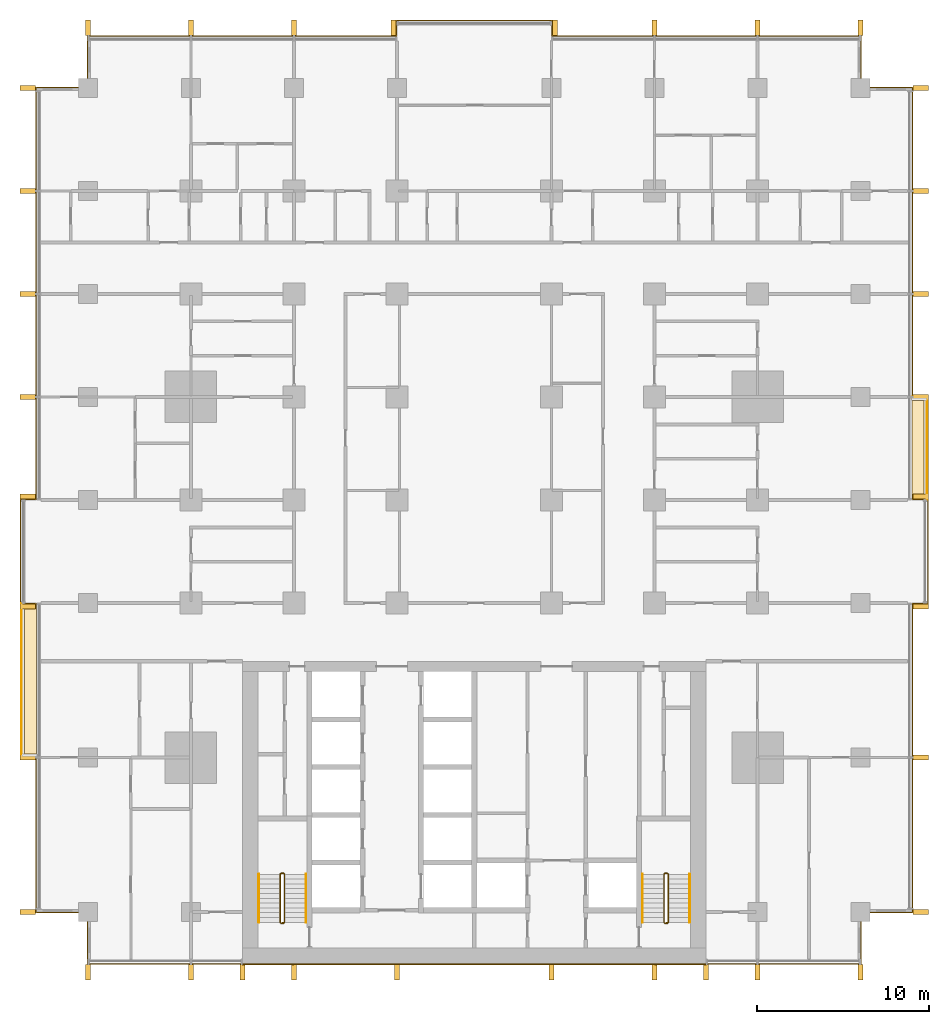
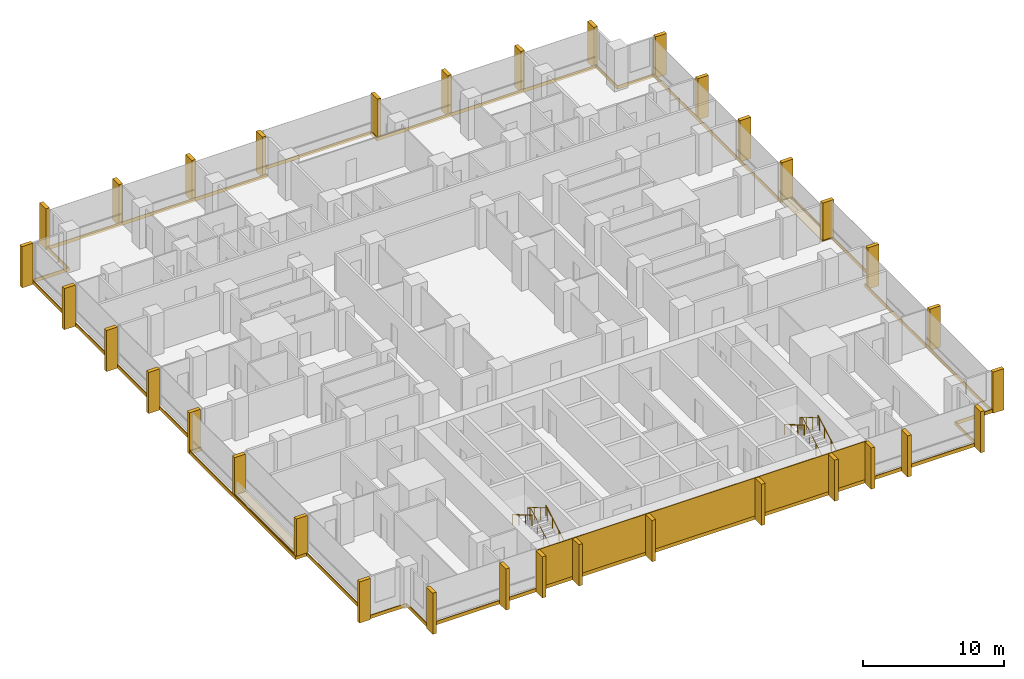
# One storey, part 18 of 18: 34 shading devices, 10 coverings, 6 railings.
"""IFC4 building model written with IfcOpenShell, lengths in metres."""

from ifc_helpers import new_model, si_unit, direction, frame, origin, origin_2d, place, context, subcontext, project, spatial, polyline, rectangle, circle, outline, extrude, material, layer, layer_set, type_object, element, save


model = new_model("IFC4")

# Units and contexts
model_context = context("Model", 3, precision=1e-05, world=origin(), true_north=direction((0.0, 1.0)))
body_context = subcontext(model_context, "Body", "Model", "MODEL_VIEW")
ifc_project = project(units=[si_unit("LENGTHUNIT", "METRE"), si_unit("AREAUNIT", "SQUARE_METRE"), si_unit("VOLUMEUNIT", "CUBIC_METRE"), si_unit("PLANEANGLEUNIT", "RADIAN"), si_unit("MASSUNIT", "GRAM", prefix="KILO")], contexts=[model_context])

# Site, building, storey
site_placement = place(None, origin())
site = spatial("IfcSite", under=ifc_project, at=site_placement, CompositionType="ELEMENT")
building_placement = place(site_placement, origin())
building = spatial("IfcBuilding", under=site, at=building_placement, Name="Finial Court Residences", CompositionType="ELEMENT")
storey_placement = place(building_placement, frame((0.0, 0.0, 43.300048828125)))
storey = spatial("IfcBuildingStorey", under=building, at=storey_placement, Name="L09", CompositionType="ELEMENT", Elevation=43.300048828125)

# Coverings
ifc_material_1 = material(Name="Natural limestone", Category="masonry")
ifc_layer_1 = layer(ifc_material_1, 0.06005859375)
ifc_layer_set_1 = layer_set([ifc_layer_1], Name="Limestone cladding to the blind core face 60")
covering_type_1 = type_object("IfcCoveringType", Name="Limestone cladding to the blind core face 60", PredefinedType="CLADDING", material=ifc_layer_set_1)
covering_1_placement = place(storey_placement, origin())
element("IfcCovering", 1, at=covering_1_placement, inside=storey, type_object=covering_type_1, Name="E-L09-CLAD1", PredefinedType="CLADDING", context=body_context, shape_type="SweptSolid", body=[
    extrude(outline(polyline([(-10.5, -25.56005859375), (-10.5, -25.5), (-13.5, -25.5), (-13.5, -25.56005859375), (-10.5, -25.56005859375)])), origin(), (0.0, 0.0, 1.0), 3.300048828125),
])
covering_2_placement = place(storey_placement, origin())
element("IfcCovering", 2, at=covering_2_placement, inside=storey, type_object=covering_type_1, Name="E-L09-CLAD2", PredefinedType="CLADDING", context=body_context, shape_type="SweptSolid", body=[
    extrude(outline(polyline([(-4.5, -25.56005859375), (-4.5, -25.5), (-10.5, -25.5), (-10.5, -25.56005859375), (-4.5, -25.56005859375)])), origin(), (0.0, 0.0, 1.0), 3.300048828125),
])
covering_3_placement = place(storey_placement, origin())
element("IfcCovering", 3, at=covering_3_placement, inside=storey, type_object=covering_type_1, Name="E-L09-CLAD3", PredefinedType="CLADDING", context=body_context, shape_type="SweptSolid", body=[
    extrude(outline(polyline([(4.5, -25.56005859375), (4.5, -25.5), (-4.5, -25.5), (-4.5, -25.56005859375), (4.5, -25.56005859375)])), origin(), (0.0, 0.0, 1.0), 3.300048828125),
])
covering_4_placement = place(storey_placement, origin())
element("IfcCovering", 4, at=covering_4_placement, inside=storey, type_object=covering_type_1, Name="E-L09-CLAD4", PredefinedType="CLADDING", context=body_context, shape_type="SweptSolid", body=[
    extrude(outline(polyline([(10.5, -25.56005859375), (10.5, -25.5), (4.5, -25.5), (4.5, -25.56005859375), (10.5, -25.56005859375)])), origin(), (0.0, 0.0, 1.0), 3.300048828125),
])
covering_5_placement = place(storey_placement, origin())
element("IfcCovering", 5, at=covering_5_placement, inside=storey, type_object=covering_type_1, Name="E-L09-CLAD5", PredefinedType="CLADDING", context=body_context, shape_type="SweptSolid", body=[
    extrude(outline(polyline([(13.5, -25.56005859375), (13.5, -25.5), (10.5, -25.5), (10.5, -25.56005859375), (13.5, -25.56005859375)])), origin(), (0.0, 0.0, 1.0), 3.300048828125),
])

# Shading devices
shading_device_type = type_object("IfcShadingDeviceType", Name="Limestone fin 300 x 900", PredefinedType="USERDEFINED", material=ifc_material_1)
for number, where, z_axis, x_axis, name in (
    (6, (-22.5, 29.010009765625, -0.300048828125), (0.0, 0.0, 1.0), (1.0, 0.0, 0.0), "E-L09-FIN-N1"),
    (7, (-16.5, 29.010009765625, -0.300048828125), (0.0, 0.0, 1.0), (1.0, 0.0, 0.0), "E-L09-FIN-N2"),
    (8, (-10.5, 29.010009765625, -0.300048828125), (0.0, 0.0, 1.0), (1.0, 0.0, 0.0), "E-L09-FIN-N3"),
    (9, (-4.7099609375, 29.010009765625, -0.300048828125), (0.0, 0.0, 1.0), (1.0, 0.0, 0.0), "E-L09-FIN-N4"),
    (10, (4.7099609375, 29.010009765625, -0.300048828125), (0.0, 0.0, 1.0), (1.0, 0.0, 0.0), "E-L09-FIN-N5"),
    (11, (10.5, 29.010009765625, -0.300048828125), (0.0, 0.0, 1.0), (1.0, 0.0, 0.0), "E-L09-FIN-N6"),
    (12, (16.5, 29.010009765625, -0.300048828125), (0.0, 0.0, 1.0), (1.0, 0.0, 0.0), "E-L09-FIN-N7"),
    (13, (22.5, 29.010009765625, -0.300048828125), (0.0, 0.0, 1.0), (1.0, 0.0, 0.0), "E-L09-FIN-N8"),
):
    element("IfcShadingDevice", number, at=place(storey_placement, frame(where, z_axis=z_axis, x_axis=x_axis)), inside=storey, type_object=shading_device_type, Name=name, ObjectType="FIN", PredefinedType="USERDEFINED", context=body_context, shape_type="SweptSolid", body=[
        extrude(rectangle(XDim=0.300048828125, YDim=0.89990234375, at=origin_2d()), origin(), (0.0, 0.0, 1.0), 3.580078125),
    ])
for number, where, z_axis, x_axis, name in (
    (14, (26.010009765625, -22.5, -0.300048828125), (0.0, 0.0, 1.0), (1.0, 0.0, 0.0), "E-L09-FIN-E9"),
    (15, (26.010009765625, -13.5, -0.300048828125), (0.0, 0.0, 1.0), (1.0, 0.0, 0.0), "E-L09-FIN-E10"),
    (16, (26.010009765625, -4.7099609375, -0.300048828125), (0.0, 0.0, 1.0), (1.0, 0.0, 0.0), "E-L09-FIN-E11"),
):
    element("IfcShadingDevice", number, at=place(storey_placement, frame(where, z_axis=z_axis, x_axis=x_axis)), inside=storey, type_object=shading_device_type, Name=name, ObjectType="FIN", PredefinedType="USERDEFINED", context=body_context, shape_type="SweptSolid", body=[
        extrude(rectangle(XDim=0.89990234375, YDim=0.300048828125, at=origin_2d()), origin(), (0.0, 0.0, 1.0), 3.580078125),
    ])
for number, where, z_axis, x_axis, name in (
    (17, (26.010009765625, 1.7099609375, 0.0400390625), (0.0, 0.0, 1.0), (1.0, 0.0, 0.0), "E-L09-FIN-E12"),
    (18, (26.010009765625, 7.5, 0.0400390625), (0.0, 0.0, 1.0), (1.0, 0.0, 0.0), "E-L09-FIN-E13"),
):
    element("IfcShadingDevice", number, at=place(storey_placement, frame(where, z_axis=z_axis, x_axis=x_axis)), inside=storey, type_object=shading_device_type, Name=name, ObjectType="FIN", PredefinedType="USERDEFINED", context=body_context, shape_type="SweptSolid", body=[
        extrude(rectangle(XDim=0.89990234375, YDim=0.300048828125, at=origin_2d()), origin(), (0.0, 0.0, 1.0), 3.239990234375),
    ])
for number, where, z_axis, x_axis, name in (
    (19, (26.010009765625, 13.5, -0.300048828125), (0.0, 0.0, 1.0), (1.0, 0.0, 0.0), "E-L09-FIN-E14"),
    (20, (26.010009765625, 19.5, -0.300048828125), (0.0, 0.0, 1.0), (1.0, 0.0, 0.0), "E-L09-FIN-E15"),
    (21, (26.010009765625, 25.5, -0.300048828125), (0.0, 0.0, 1.0), (1.0, 0.0, 0.0), "E-L09-FIN-E16"),
):
    element("IfcShadingDevice", number, at=place(storey_placement, frame(where, z_axis=z_axis, x_axis=x_axis)), inside=storey, type_object=shading_device_type, Name=name, ObjectType="FIN", PredefinedType="USERDEFINED", context=body_context, shape_type="SweptSolid", body=[
        extrude(rectangle(XDim=0.89990234375, YDim=0.300048828125, at=origin_2d()), origin(), (0.0, 0.0, 1.0), 3.580078125),
    ])
for number, where, z_axis, x_axis, name in (
    (22, (-22.5, -26.010009765625, -0.300048828125), (0.0, 0.0, 1.0), (1.0, 0.0, 0.0), "E-L09-FIN-S17"),
    (23, (-16.5, -26.010009765625, -0.300048828125), (0.0, 0.0, 1.0), (1.0, 0.0, 0.0), "E-L09-FIN-S18"),
    (24, (-13.5, -26.010009765625, -0.300048828125), (0.0, 0.0, 1.0), (1.0, 0.0, 0.0), "E-L09-FIN-S19"),
    (25, (-10.5, -26.010009765625, -0.300048828125), (0.0, 0.0, 1.0), (1.0, 0.0, 0.0), "E-L09-FIN-S20"),
    (26, (-4.5, -26.010009765625, -0.300048828125), (0.0, 0.0, 1.0), (1.0, 0.0, 0.0), "E-L09-FIN-S21"),
    (27, (4.5, -26.010009765625, -0.300048828125), (0.0, 0.0, 1.0), (1.0, 0.0, 0.0), "E-L09-FIN-S22"),
    (28, (10.5, -26.010009765625, -0.300048828125), (0.0, 0.0, 1.0), (1.0, 0.0, 0.0), "E-L09-FIN-S23"),
    (29, (13.5, -26.010009765625, -0.300048828125), (0.0, 0.0, 1.0), (1.0, 0.0, 0.0), "E-L09-FIN-S24"),
    (30, (16.5, -26.010009765625, -0.300048828125), (0.0, 0.0, 1.0), (1.0, 0.0, 0.0), "E-L09-FIN-S25"),
    (31, (22.5, -26.010009765625, -0.300048828125), (0.0, 0.0, 1.0), (1.0, 0.0, 0.0), "E-L09-FIN-S26"),
):
    element("IfcShadingDevice", number, at=place(storey_placement, frame(where, z_axis=z_axis, x_axis=x_axis)), inside=storey, type_object=shading_device_type, Name=name, ObjectType="FIN", PredefinedType="USERDEFINED", context=body_context, shape_type="SweptSolid", body=[
        extrude(rectangle(XDim=0.300048828125, YDim=0.89990234375, at=origin_2d()), origin(), (0.0, 0.0, 1.0), 3.580078125),
    ])
shading_device_placement = place(storey_placement, frame((-26.010009765625, -22.5, -0.300048828125), z_axis=(0.0, 0.0, 1.0), x_axis=(1.0, 0.0, 0.0)))
element("IfcShadingDevice", 32, at=shading_device_placement, inside=storey, type_object=shading_device_type, Name="E-L09-FIN-W27", ObjectType="FIN", PredefinedType="USERDEFINED", context=body_context, shape_type="SweptSolid", body=[
    extrude(rectangle(XDim=0.89990234375, YDim=0.300048828125, at=origin_2d()), origin(), (0.0, 0.0, 1.0), 3.580078125),
])
for number, where, z_axis, x_axis, name in (
    (33, (-26.010009765625, -13.5, 0.0400390625), (0.0, 0.0, 1.0), (1.0, 0.0, 0.0), "E-L09-FIN-W28"),
    (34, (-26.010009765625, -4.7099609375, 0.0400390625), (0.0, 0.0, 1.0), (1.0, 0.0, 0.0), "E-L09-FIN-W29"),
):
    element("IfcShadingDevice", number, at=place(storey_placement, frame(where, z_axis=z_axis, x_axis=x_axis)), inside=storey, type_object=shading_device_type, Name=name, ObjectType="FIN", PredefinedType="USERDEFINED", context=body_context, shape_type="SweptSolid", body=[
        extrude(rectangle(XDim=0.89990234375, YDim=0.300048828125, at=origin_2d()), origin(), (0.0, 0.0, 1.0), 3.239990234375),
    ])
for number, where, z_axis, x_axis, name in (
    (35, (-26.010009765625, 1.7099609375, -0.300048828125), (0.0, 0.0, 1.0), (1.0, 0.0, 0.0), "E-L09-FIN-W30"),
    (36, (-26.010009765625, 7.5, -0.300048828125), (0.0, 0.0, 1.0), (1.0, 0.0, 0.0), "E-L09-FIN-W31"),
    (37, (-26.010009765625, 13.5, -0.300048828125), (0.0, 0.0, 1.0), (1.0, 0.0, 0.0), "E-L09-FIN-W32"),
    (38, (-26.010009765625, 19.5, -0.300048828125), (0.0, 0.0, 1.0), (1.0, 0.0, 0.0), "E-L09-FIN-W33"),
    (39, (-26.010009765625, 25.5, -0.300048828125), (0.0, 0.0, 1.0), (1.0, 0.0, 0.0), "E-L09-FIN-W34"),
):
    element("IfcShadingDevice", number, at=place(storey_placement, frame(where, z_axis=z_axis, x_axis=x_axis)), inside=storey, type_object=shading_device_type, Name=name, ObjectType="FIN", PredefinedType="USERDEFINED", context=body_context, shape_type="SweptSolid", body=[
        extrude(rectangle(XDim=0.89990234375, YDim=0.300048828125, at=origin_2d()), origin(), (0.0, 0.0, 1.0), 3.580078125),
    ])

# Coverings
ifc_material_2 = material(Name="Pale limestone", Category="masonry")
ifc_layer_2 = layer(ifc_material_2, 0.06005859375)
ifc_layer_set_2 = layer_set([ifc_layer_2], Name="Pale limestone slab-edge band 60")
covering_type_2 = type_object("IfcCoveringType", Name="Pale limestone slab-edge band 60", PredefinedType="CLADDING", material=ifc_layer_set_2)
covering_6_placement = place(storey_placement, frame((0.0, 0.0, -0.300048828125)))
element("IfcCovering", 40, at=covering_6_placement, inside=storey, type_object=covering_type_2, Name="E-L09-BAND1", PredefinedType="CLADDING", context=body_context, shape_type="SweptSolid", body=[
    extrude(outline(polyline([(-25.56005859375, 1.56005859375), (-25.56005859375, 25.56005859375), (-22.56005859375, 25.56005859375), (-22.56005859375, 28.56005859375), (-4.56005859375, 28.56005859375), (-4.56005859375, 29.4599609375), (4.56005859375, 29.4599609375), (4.56005859375, 28.56005859375), (22.56005859375, 28.56005859375), (22.56005859375, 25.56005859375), (25.56005859375, 25.56005859375), (25.56005859375, 7.56005859375), (26.4599609375, 7.56005859375), (26.4599609375, -4.56005859375), (25.56005859375, -4.56005859375), (25.56005859375, -22.56005859375), (22.56005859375, -22.56005859375), (22.56005859375, -25.56005859375), (-22.56005859375, -25.56005859375), (-22.56005859375, -22.56005859375), (-25.56005859375, -22.56005859375), (-25.56005859375, -13.56005859375), (-26.4599609375, -13.56005859375), (-26.4599609375, 1.56005859375), (-25.56005859375, 1.56005859375)]), holes=[polyline([(-26.39990234375, -13.5), (-25.5, -13.5), (-25.5, -22.5), (-22.5, -22.5), (-22.5, -25.5), (22.5, -25.5), (22.5, -22.5), (25.5, -22.5), (25.5, -4.5), (26.39990234375, -4.5), (26.39990234375, 1.5), (26.39990234375, 7.5), (25.5, 7.5), (25.5, 25.5), (22.5, 25.5), (22.5, 28.5), (4.5, 28.5), (4.5, 29.39990234375), (-4.5, 29.39990234375), (-4.5, 28.5), (-22.5, 28.5), (-22.5, 25.5), (-25.5, 25.5), (-25.5, 1.5), (-26.39990234375, 1.5), (-26.39990234375, -4.5), (-26.39990234375, -13.5)])]), origin(), (0.0, 0.0, 1.0), 0.300048828125),
])
ifc_material_3 = material(Name="Bitumen membrane")
ifc_layer_3 = layer(ifc_material_3, 0.0400390625)
ifc_layer_set_3 = layer_set([ifc_layer_3], Name="Push box roofing, bitumen membrane 40")
covering_type_3 = type_object("IfcCoveringType", Name="Push box roofing, bitumen membrane 40", PredefinedType="ROOFING", material=ifc_layer_set_3)
covering_7_placement = place(storey_placement, origin())
element("IfcCovering", 41, at=covering_7_placement, inside=storey, type_object=covering_type_3, Name="E-L09-LED1", PredefinedType="ROOFING", context=body_context, shape_type="SweptSolid", body=[
    extrude(outline(polyline([(26.35009765625, 1.5), (26.35009765625, 7.300048828125), (26.35009765625, 7.300048828125), (26.35009765625, 7.449951171875), (25.5, 7.449951171875), (25.5, 7.5), (26.39990234375, 7.5), (26.39990234375, 1.5), (26.35009765625, 1.5)])), origin(), (0.0, 0.0, 1.0), 0.0400390625),
])
covering_8_placement = place(storey_placement, origin())
element("IfcCovering", 42, at=covering_8_placement, inside=storey, type_object=covering_type_3, Name="E-L09-LED1b", PredefinedType="ROOFING", context=body_context, shape_type="SweptSolid", body=[
    extrude(outline(polyline([(25.5, 1.5), (25.5, 7.300048828125), (26.199951171875, 7.300048828125), (26.199951171875, 1.5), (25.5, 1.5)])), origin(), (0.0, 0.0, 1.0), 0.0400390625),
])
covering_9_placement = place(storey_placement, origin())
element("IfcCovering", 43, at=covering_9_placement, inside=storey, type_object=covering_type_3, Name="E-L09-LED2", PredefinedType="ROOFING", context=body_context, shape_type="SweptSolid", body=[
    extrude(outline(polyline([(-26.35009765625, -4.5), (-26.35009765625, -13.300048828125), (-26.35009765625, -13.300048828125), (-26.35009765625, -13.449951171875), (-25.5, -13.449951171875), (-25.5, -13.5), (-26.39990234375, -13.5), (-26.39990234375, -4.5), (-26.35009765625, -4.5)])), origin(), (0.0, 0.0, 1.0), 0.0400390625),
])
covering_10_placement = place(storey_placement, origin())
element("IfcCovering", 44, at=covering_10_placement, inside=storey, type_object=covering_type_3, Name="E-L09-LED2b", PredefinedType="ROOFING", context=body_context, shape_type="SweptSolid", body=[
    extrude(outline(polyline([(-25.5, -4.5), (-25.5, -13.300048828125), (-26.199951171875, -13.300048828125), (-26.199951171875, -4.5), (-25.5, -4.5)])), origin(), (0.0, 0.0, 1.0), 0.0400390625),
])

# Railings
ifc_material_4 = material(Name="Stainless steel railing", Category="steel")
railing_type_1 = type_object("IfcRailingType", Name="Stair guard 1100", PredefinedType="GUARDRAIL", material=ifc_material_4)
railing_1_placement = place(storey_placement, frame((-11.10009765625, -23.14990234375, 0.0)))
element("IfcRailing", 45, at=railing_1_placement, inside=storey, type_object=railing_type_1, Name="L09 ST-1 stair guard 1", PredefinedType="GUARDRAIL", context=body_context, shape_type="SweptSolid", body=[
    extrude(circle(Radius=0.02392578125, at=origin_2d()), frame((0.0, 0.0, 1.076171875), z_axis=(-1.0, 0.0, 0.0), x_axis=(0.0, -1.0, 0.0)), (0.0, 0.0, 1.0), 0.14990234375),
    extrude(circle(Radius=0.02392578125, at=origin_2d()), frame((-0.14990234375, 0.0, 1.076171875), z_axis=(0.760004195007, 0.189305074214, 0.621737253547), x_axis=(-0.241699205484, 0.970351222016, 0.0)), (0.0, 0.0, 1.0), 0.26318359375),
    extrude(circle(Radius=0.02392578125, at=origin_2d()), frame((0.050048828125, 0.0498046875, 1.23974609375), z_axis=(0.0, 0.863360870873, 0.504586966384), x_axis=(-1.0, 0.0, 0.0)), (0.0, 0.0, 1.0), 3.2431640625),
    extrude(circle(Radius=0.02392578125, at=origin_2d()), frame((0.050048828125, 2.849853515625, 2.8759765625), z_axis=(-0.707106781187, 0.707106781187, 0.0), x_axis=(-0.707106781187, -0.707106781187, 0.0)), (0.0, 0.0, 1.0), 0.07080078125),
    extrude(circle(Radius=0.02392578125, at=origin_2d()), frame((0.0, 2.89990234375, 2.8759765625), z_axis=(-1.0, 0.0, 0.0), x_axis=(0.0, -1.0, 0.0)), (0.0, 0.0, 1.0), 0.14990234375),
    extrude(circle(Radius=0.02392578125, at=origin_2d()), frame((-0.14990234375, 2.89990234375, 2.8759765625), z_axis=(-0.280808744504, -0.280808744504, 0.917765164963), x_axis=(0.707106781187, -0.707106781187, 0.0)), (0.0, 0.0, 1.0), 0.17822265625),
    extrude(circle(Radius=0.02392578125, at=origin_2d()), frame((-0.199951171875, 2.849853515625, 3.03955078125), z_axis=(0.0, -0.863393664356, 0.504530851732), x_axis=(1.0, 0.0, 0.0)), (0.0, 0.0, 1.0), 3.2431640625),
    extrude(circle(Radius=0.02099609375, at=origin_2d()), origin(), (0.0, 0.0, 1.0), 1.052001953125),
    extrude(circle(Radius=0.02099609375, at=origin_2d()), frame((-0.14990234375, 0.0, 0.0)), (0.0, 0.0, 1.0), 1.052001953125),
    extrude(circle(Radius=0.02099609375, at=origin_2d()), frame((0.050048828125, 0.0498046875, 0.16357421875)), (0.0, 0.0, 1.0), 1.052001953125),
    extrude(circle(Radius=0.02099609375, at=origin_2d()), frame((0.050048828125, 0.983154296875, 0.708984375)), (0.0, 0.0, 1.0), 1.052001953125),
    extrude(circle(Radius=0.02099609375, at=origin_2d()), frame((0.050048828125, 1.91650390625, 1.254638671875)), (0.0, 0.0, 1.0), 1.052001953125),
    extrude(circle(Radius=0.02099609375, at=origin_2d()), frame((0.050048828125, 2.849853515625, 1.800048828125)), (0.0, 0.0, 1.0), 1.052001953125),
    extrude(circle(Radius=0.02099609375, at=origin_2d()), frame((0.0, 2.89990234375, 1.800048828125)), (0.0, 0.0, 1.0), 1.052001953125),
    extrude(circle(Radius=0.02099609375, at=origin_2d()), frame((-0.14990234375, 2.89990234375, 1.800048828125)), (0.0, 0.0, 1.0), 1.052001953125),
    extrude(circle(Radius=0.02099609375, at=origin_2d()), frame((-0.199951171875, 2.849853515625, 1.963623046875)), (0.0, 0.0, 1.0), 1.052001953125),
    extrude(circle(Radius=0.02099609375, at=origin_2d()), frame((-0.199951171875, 1.91650390625, 2.509033203125)), (0.0, 0.0, 1.0), 1.052001953125),
    extrude(circle(Radius=0.02099609375, at=origin_2d()), frame((-0.199951171875, 0.983154296875, 3.054443359375)), (0.0, 0.0, 1.0), 1.052001953125),
    extrude(circle(Radius=0.02099609375, at=origin_2d()), frame((-0.199951171875, 0.0498046875, 3.599853515625)), (0.0, 0.0, 1.0), 1.052001953125),
])
railing_2_placement = place(storey_placement, frame((11.25, -23.14990234375, 0.0)))
element("IfcRailing", 46, at=railing_2_placement, inside=storey, type_object=railing_type_1, Name="L09 ST-2 stair guard 1", PredefinedType="GUARDRAIL", context=body_context, shape_type="SweptSolid", body=[
    extrude(circle(Radius=0.02392578125, at=origin_2d()), frame((0.0, 0.0, 1.076171875), z_axis=(-1.0, 0.0, 0.0), x_axis=(0.0, -1.0, 0.0)), (0.0, 0.0, 1.0), 0.14990234375),
    extrude(circle(Radius=0.02392578125, at=origin_2d()), frame((-0.14990234375, 0.0, 1.076171875), z_axis=(0.760004195007, 0.189305074214, 0.621737253547), x_axis=(-0.241699205484, 0.970351222016, 0.0)), (0.0, 0.0, 1.0), 0.26318359375),
    extrude(circle(Radius=0.02392578125, at=origin_2d()), frame((0.050048828125, 0.0498046875, 1.23974609375), z_axis=(0.0, 0.863360870873, 0.504586966384), x_axis=(-1.0, 0.0, 0.0)), (0.0, 0.0, 1.0), 3.2431640625),
    extrude(circle(Radius=0.02392578125, at=origin_2d()), frame((0.050048828125, 2.849853515625, 2.8759765625), z_axis=(-0.707106781187, 0.707106781187, 0.0), x_axis=(-0.707106781187, -0.707106781187, 0.0)), (0.0, 0.0, 1.0), 0.07080078125),
    extrude(circle(Radius=0.02392578125, at=origin_2d()), frame((0.0, 2.89990234375, 2.8759765625), z_axis=(-1.0, 0.0, 0.0), x_axis=(0.0, -1.0, 0.0)), (0.0, 0.0, 1.0), 0.14990234375),
    extrude(circle(Radius=0.02392578125, at=origin_2d()), frame((-0.14990234375, 2.89990234375, 2.8759765625), z_axis=(-0.280808744504, -0.280808744504, 0.917765164963), x_axis=(0.707106781187, -0.707106781187, 0.0)), (0.0, 0.0, 1.0), 0.17822265625),
    extrude(circle(Radius=0.02392578125, at=origin_2d()), frame((-0.199951171875, 2.849853515625, 3.03955078125), z_axis=(0.0, -0.863393664356, 0.504530851732), x_axis=(1.0, 0.0, 0.0)), (0.0, 0.0, 1.0), 3.2431640625),
    extrude(circle(Radius=0.02099609375, at=origin_2d()), origin(), (0.0, 0.0, 1.0), 1.052001953125),
    extrude(circle(Radius=0.02099609375, at=origin_2d()), frame((-0.14990234375, 0.0, 0.0)), (0.0, 0.0, 1.0), 1.052001953125),
    extrude(circle(Radius=0.02099609375, at=origin_2d()), frame((0.050048828125, 0.0498046875, 0.16357421875)), (0.0, 0.0, 1.0), 1.052001953125),
    extrude(circle(Radius=0.02099609375, at=origin_2d()), frame((0.050048828125, 0.983154296875, 0.708984375)), (0.0, 0.0, 1.0), 1.052001953125),
    extrude(circle(Radius=0.02099609375, at=origin_2d()), frame((0.050048828125, 1.91650390625, 1.254638671875)), (0.0, 0.0, 1.0), 1.052001953125),
    extrude(circle(Radius=0.02099609375, at=origin_2d()), frame((0.050048828125, 2.849853515625, 1.800048828125)), (0.0, 0.0, 1.0), 1.052001953125),
    extrude(circle(Radius=0.02099609375, at=origin_2d()), frame((0.0, 2.89990234375, 1.800048828125)), (0.0, 0.0, 1.0), 1.052001953125),
    extrude(circle(Radius=0.02099609375, at=origin_2d()), frame((-0.14990234375, 2.89990234375, 1.800048828125)), (0.0, 0.0, 1.0), 1.052001953125),
    extrude(circle(Radius=0.02099609375, at=origin_2d()), frame((-0.199951171875, 2.849853515625, 1.963623046875)), (0.0, 0.0, 1.0), 1.052001953125),
    extrude(circle(Radius=0.02099609375, at=origin_2d()), frame((-0.199951171875, 1.91650390625, 2.509033203125)), (0.0, 0.0, 1.0), 1.052001953125),
    extrude(circle(Radius=0.02099609375, at=origin_2d()), frame((-0.199951171875, 0.983154296875, 3.054443359375)), (0.0, 0.0, 1.0), 1.052001953125),
    extrude(circle(Radius=0.02099609375, at=origin_2d()), frame((-0.199951171875, 0.0498046875, 3.599853515625)), (0.0, 0.0, 1.0), 1.052001953125),
])
railing_type_2 = type_object("IfcRailingType", Name="Stair handrail 900", PredefinedType="HANDRAIL", material=ifc_material_4)
railing_3_placement = place(storey_placement, frame((-9.800048828125, -23.10009765625, 0.16357421875)))
element("IfcRailing", 47, at=railing_3_placement, inside=storey, type_object=railing_type_2, Name="L09 ST-1 stair handrail 1", PredefinedType="HANDRAIL", context=body_context, shape_type="SweptSolid", body=[
    extrude(circle(Radius=0.02392578125, at=origin_2d()), frame((0.0, 0.0, 0.8759765625), z_axis=(0.0, 0.863360870873, 0.504586966384), x_axis=(-1.0, 0.0, 0.0)), (0.0, 0.0, 1.0), 3.2431640625),
    extrude(circle(Radius=0.02099609375, at=origin_2d()), origin(), (0.0, 0.0, 1.0), 0.851806640625),
    extrude(circle(Radius=0.02099609375, at=origin_2d()), frame((0.0, 0.933349609375, 0.54541015625)), (0.0, 0.0, 1.0), 0.851806640625),
    extrude(circle(Radius=0.02099609375, at=origin_2d()), frame((0.0, 1.86669921875, 1.091064453125)), (0.0, 0.0, 1.0), 0.851806640625),
    extrude(circle(Radius=0.02099609375, at=origin_2d()), frame((0.0, 2.800048828125, 1.636474609375)), (0.0, 0.0, 1.0), 0.851806640625),
])
railing_4_placement = place(storey_placement, frame((-12.550048828125, -20.300048828125, 1.963623046875)))
element("IfcRailing", 48, at=railing_4_placement, inside=storey, type_object=railing_type_2, Name="L09 ST-1 stair handrail 2", PredefinedType="HANDRAIL", context=body_context, shape_type="SweptSolid", body=[
    extrude(circle(Radius=0.02392578125, at=origin_2d()), frame((0.0, 0.0, 0.8759765625), z_axis=(0.0, -0.863393664356, 0.504530851732), x_axis=(1.0, 0.0, 0.0)), (0.0, 0.0, 1.0), 3.2431640625),
    extrude(circle(Radius=0.02099609375, at=origin_2d()), origin(), (0.0, 0.0, 1.0), 0.851806640625),
    extrude(circle(Radius=0.02099609375, at=origin_2d()), frame((0.0, -0.933349609375, 0.54541015625)), (0.0, 0.0, 1.0), 0.851806640625),
    extrude(circle(Radius=0.02099609375, at=origin_2d()), frame((0.0, -1.86669921875, 1.0908203125)), (0.0, 0.0, 1.0), 0.851806640625),
    extrude(circle(Radius=0.02099609375, at=origin_2d()), frame((0.0, -2.800048828125, 1.63623046875)), (0.0, 0.0, 1.0), 0.851806640625),
])
railing_5_placement = place(storey_placement, frame((12.550048828125, -23.10009765625, 0.16357421875)))
element("IfcRailing", 49, at=railing_5_placement, inside=storey, type_object=railing_type_2, Name="L09 ST-2 stair handrail 1", PredefinedType="HANDRAIL", context=body_context, shape_type="SweptSolid", body=[
    extrude(circle(Radius=0.02392578125, at=origin_2d()), frame((0.0, 0.0, 0.8759765625), z_axis=(0.0, 0.863360870873, 0.504586966384), x_axis=(-1.0, 0.0, 0.0)), (0.0, 0.0, 1.0), 3.2431640625),
    extrude(circle(Radius=0.02099609375, at=origin_2d()), origin(), (0.0, 0.0, 1.0), 0.851806640625),
    extrude(circle(Radius=0.02099609375, at=origin_2d()), frame((0.0, 0.933349609375, 0.54541015625)), (0.0, 0.0, 1.0), 0.851806640625),
    extrude(circle(Radius=0.02099609375, at=origin_2d()), frame((0.0, 1.86669921875, 1.091064453125)), (0.0, 0.0, 1.0), 0.851806640625),
    extrude(circle(Radius=0.02099609375, at=origin_2d()), frame((0.0, 2.800048828125, 1.636474609375)), (0.0, 0.0, 1.0), 0.851806640625),
])
railing_6_placement = place(storey_placement, frame((9.800048828125, -20.300048828125, 1.963623046875)))
element("IfcRailing", 50, at=railing_6_placement, inside=storey, type_object=railing_type_2, Name="L09 ST-2 stair handrail 2", PredefinedType="HANDRAIL", context=body_context, shape_type="SweptSolid", body=[
    extrude(circle(Radius=0.02392578125, at=origin_2d()), frame((0.0, 0.0, 0.8759765625), z_axis=(0.0, -0.863393664356, 0.504530851732), x_axis=(1.0, 0.0, 0.0)), (0.0, 0.0, 1.0), 3.2431640625),
    extrude(circle(Radius=0.02099609375, at=origin_2d()), origin(), (0.0, 0.0, 1.0), 0.851806640625),
    extrude(circle(Radius=0.02099609375, at=origin_2d()), frame((0.0, -0.933349609375, 0.54541015625)), (0.0, 0.0, 1.0), 0.851806640625),
    extrude(circle(Radius=0.02099609375, at=origin_2d()), frame((0.0, -1.86669921875, 1.0908203125)), (0.0, 0.0, 1.0), 0.851806640625),
    extrude(circle(Radius=0.02099609375, at=origin_2d()), frame((0.0, -2.800048828125, 1.63623046875)), (0.0, 0.0, 1.0), 0.851806640625),
])

save(model, "model.ifc")
